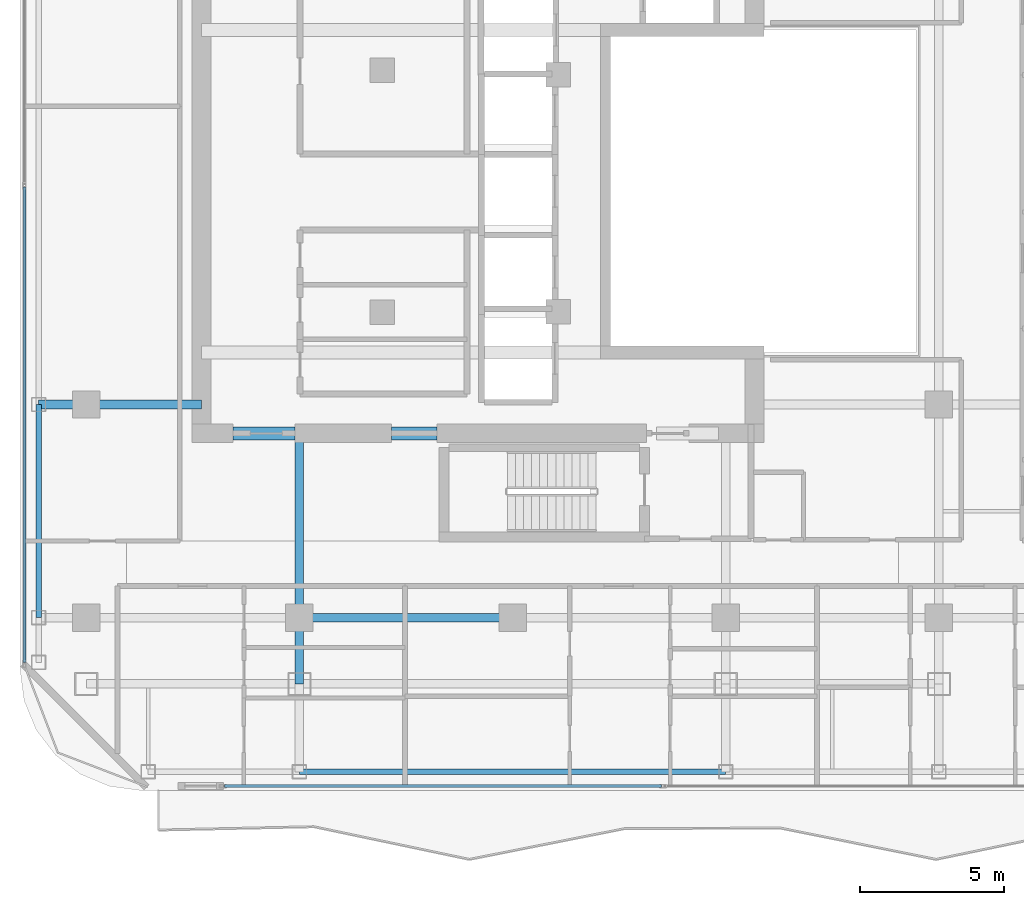
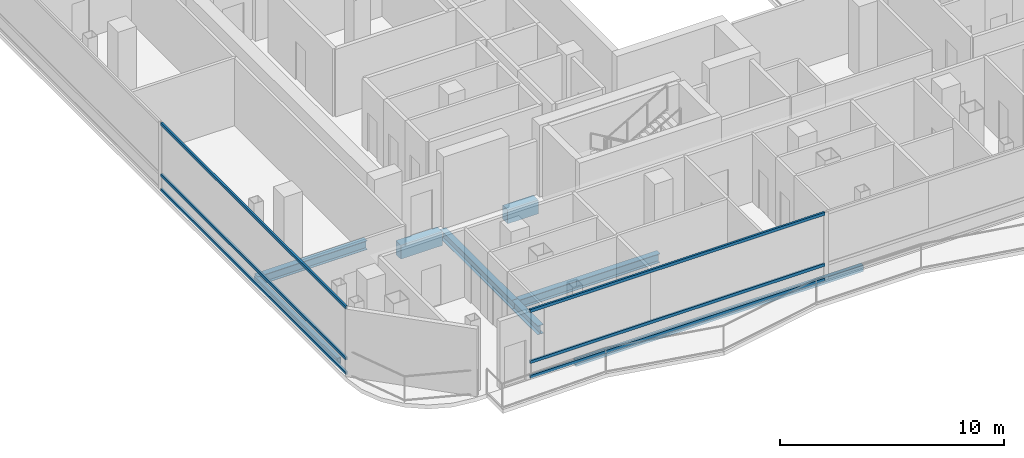
# One storey, part 3 of 24: 8 beams, 6 members, 2 elements without a shape of their own.
"""IFC4 building model written with IfcOpenShell, lengths in metres."""

from ifc_helpers import new_model, si_unit, direction, frame, origin, origin_2d, place, context, subcontext, project, spatial, rectangle, hollow_rectangle, i_section, extrude, material, layer, layer_set, material_profile, profile_set, type_object, element, aggregate, save


model = new_model("IFC4")

# Units and contexts
model_context = context("Model", 3, precision=1e-05, world=origin(), true_north=direction((0.0, 1.0)))
body_context = subcontext(model_context, "Body", "Model", "MODEL_VIEW")
ifc_project = project(units=[si_unit("LENGTHUNIT", "METRE"), si_unit("AREAUNIT", "SQUARE_METRE"), si_unit("VOLUMEUNIT", "CUBIC_METRE"), si_unit("PLANEANGLEUNIT", "RADIAN"), si_unit("MASSUNIT", "GRAM", prefix="KILO")], contexts=[model_context])

# Site, building, storey
site_placement = place(None, origin())
site = spatial("IfcSite", under=ifc_project, at=site_placement, CompositionType="ELEMENT")
building_placement = place(site_placement, origin())
building = spatial("IfcBuilding", under=site, at=building_placement, Name="Khorvyn Point Tower", CompositionType="ELEMENT")
storey_placement = place(building_placement, frame((0.0, 0.0, 266.39990234375)))
storey = spatial("IfcBuildingStorey", under=building, at=storey_placement, Name="L65", CompositionType="ELEMENT", Elevation=266.39990234375)

# Curtain wall, members
ifc_material_1 = material(Name="Anodised aluminium 6063-T6 and laminated Low-E glass", Category="aluminium")
ifc_layer = layer(ifc_material_1, 0.18994140625)
ifc_layer_set = layer_set([ifc_layer], Name="Stick-Built High-Wind Curtain Wall CW-SYS-04")
curtain_wall_type = type_object("IfcCurtainWallType", Name="Stick-Built High-Wind Curtain Wall CW-SYS-04", PredefinedType="NOTDEFINED", material=ifc_layer_set)
curtain_wall_1_placement = place(storey_placement, origin())
curtain_wall_1 = element("IfcCurtainWall", 1, at=curtain_wall_1_placement, inside=storey, type_object=curtain_wall_type, Name="Curtain Wall", PredefinedType="NOTDEFINED")
ifc_material_2 = material(Name="Anodised aluminium 6063-T6", Category="aluminium")
ifc_material_profile_1 = material_profile(ifc_material_2, hollow_rectangle(XDim=0.10009765625, YDim=0.159912109375, WallThickness=0.00439453125, at=origin_2d()))
ifc_profile_set_1 = profile_set([ifc_material_profile_1], Name="Anodised aluminium 6063-T6 ALU-TRN-100x160")
member_type = type_object("IfcMemberType", Name="Anodised Aluminium 6063-T6 Transom ALU-TRN-100x160", PredefinedType="USERDEFINED", material=ifc_profile_set_1)
member_1_placement = place(storey_placement, frame((5.17041015625, -20.64990234375, 0.050048828125), z_axis=(-1.0, 0.0, 0.0), x_axis=(0.0, -1.0, 0.0)))
member_1 = element("IfcMember", 2, at=member_1_placement, type_object=member_type, Name="Transom", ObjectType="TRANSOM", PredefinedType="USERDEFINED", context=body_context, shape_type="SweptSolid", body=[
    extrude(hollow_rectangle(XDim=0.10009765625, YDim=0.159912109375, WallThickness=0.00439453125, at=origin_2d()), origin(), (0.0, 0.0, 1.0), 15.179443359375),
])
member_2_placement = place(storey_placement, frame((5.17041015625, -20.64990234375, 0.85009765625), z_axis=(-1.0, 0.0, 0.0), x_axis=(0.0, -1.0, 0.0)))
member_2 = element("IfcMember", 3, at=member_2_placement, type_object=member_type, Name="Transom", ObjectType="TRANSOM", PredefinedType="USERDEFINED", context=body_context, shape_type="SweptSolid", body=[
    extrude(hollow_rectangle(XDim=0.10009765625, YDim=0.159912109375, WallThickness=0.00439453125, at=origin_2d()), origin(), (0.0, 0.0, 1.0), 15.179443359375),
])
member_3_placement = place(storey_placement, frame((5.17041015625, -20.64990234375, 3.630126953125), z_axis=(-1.0, 0.0, 0.0), x_axis=(0.0, -1.0, 0.0)))
member_3 = element("IfcMember", 4, at=member_3_placement, type_object=member_type, Name="Transom", ObjectType="TRANSOM", PredefinedType="USERDEFINED", context=body_context, shape_type="SweptSolid", body=[
    extrude(hollow_rectangle(XDim=0.10009765625, YDim=0.159912109375, WallThickness=0.00439453125, at=origin_2d()), origin(), (0.0, 0.0, 1.0), 15.179443359375),
])
aggregate(curtain_wall_1, [member_1, member_2, member_3])

curtain_wall_2_placement = place(storey_placement, origin())
curtain_wall_2 = element("IfcCurtainWall", 5, at=curtain_wall_2_placement, inside=storey, type_object=curtain_wall_type, Name="Curtain Wall", PredefinedType="NOTDEFINED")
member_4_placement = place(storey_placement, frame((-16.949951171875, -16.35009765625, 0.050048828125), z_axis=(0.0, 1.0, 0.0), x_axis=(-1.0, 0.0, 0.0)))
member_4 = element("IfcMember", 6, at=member_4_placement, type_object=member_type, Name="Transom", ObjectType="TRANSOM", PredefinedType="USERDEFINED", context=body_context, shape_type="SweptSolid", body=[
    extrude(hollow_rectangle(XDim=0.10009765625, YDim=0.159912109375, WallThickness=0.00439453125, at=origin_2d()), origin(), (0.0, 0.0, 1.0), 16.5),
])
member_5_placement = place(storey_placement, frame((-16.949951171875, -16.35009765625, 0.85009765625), z_axis=(0.0, 1.0, 0.0), x_axis=(-1.0, 0.0, 0.0)))
member_5 = element("IfcMember", 7, at=member_5_placement, type_object=member_type, Name="Transom", ObjectType="TRANSOM", PredefinedType="USERDEFINED", context=body_context, shape_type="SweptSolid", body=[
    extrude(hollow_rectangle(XDim=0.10009765625, YDim=0.159912109375, WallThickness=0.00439453125, at=origin_2d()), origin(), (0.0, 0.0, 1.0), 16.5),
])
member_6_placement = place(storey_placement, frame((-16.949951171875, -16.35009765625, 3.630126953125), z_axis=(0.0, 1.0, 0.0), x_axis=(-1.0, 0.0, 0.0)))
member_6 = element("IfcMember", 8, at=member_6_placement, type_object=member_type, Name="Transom", ObjectType="TRANSOM", PredefinedType="USERDEFINED", context=body_context, shape_type="SweptSolid", body=[
    extrude(hollow_rectangle(XDim=0.10009765625, YDim=0.159912109375, WallThickness=0.00439453125, at=origin_2d()), origin(), (0.0, 0.0, 1.0), 16.5),
])
aggregate(curtain_wall_2, [member_4, member_5, member_6])

# Beams
ifc_material_3 = material(Name="Concrete C40/50", Category="concrete")
ifc_material_profile_2 = material_profile(ifc_material_3, rectangle(XDim=0.449951171875, YDim=0.75, at=origin_2d()))
ifc_profile_set_2 = profile_set([ifc_material_profile_2], Name="Concrete C40/50 RC450x750")
beam_type_1 = type_object("IfcBeamType", Name="Concrete C40/50 Beam RC450x750", PredefinedType="BEAM", material=ifc_profile_set_2)
beam_1_placement = place(storey_placement, frame((-9.699951171875, -8.39990234375, -0.594970703125), z_axis=(1.0, 0.0, 0.0), x_axis=(0.0, 1.0, 0.0)))
element("IfcBeam", 9, at=beam_1_placement, inside=storey, type_object=beam_type_1, Name="L65 Core Southwest Portal Coupling Beam", PredefinedType="BEAM", context=body_context, shape_type="SweptSolid", body=[
    extrude(rectangle(XDim=0.449951171875, YDim=0.75, at=origin_2d()), origin(), (0.0, 0.0, 1.0), 2.14990234375),
])
beam_2_placement = place(storey_placement, frame((-4.199951171875, -8.39990234375, -0.594970703125), z_axis=(1.0, 0.0, 0.0), x_axis=(0.0, 1.0, 0.0)))
element("IfcBeam", 10, at=beam_2_placement, inside=storey, type_object=beam_type_1, Name="L65 Core Shuttle Portal Coupling Beam", PredefinedType="BEAM", context=body_context, shape_type="SweptSolid", body=[
    extrude(rectangle(XDim=0.449951171875, YDim=0.75, at=origin_2d()), origin(), (0.0, 0.0, 1.0), 1.579833984375),
])
ifc_material_4 = material(Name="Steel S355", Category="steel")
ifc_material_profile_3 = material_profile(ifc_material_4, i_section(OverallWidth=0.300048828125, OverallDepth=0.488037109375, WebThickness=0.010986328125, FlangeThickness=0.01806640625, at=origin_2d()))
ifc_profile_set_3 = profile_set([ifc_material_profile_3], Name="Steel S355 H488x300x11x18")
beam_type_2 = type_object("IfcBeamType", Name="Steel S355 Spandrel H488x300x11x18", PredefinedType="SPANDREL", material=ifc_profile_set_3)
beam_3_placement = place(storey_placement, frame((-7.39990234375, -14.800048828125, -0.4638671875), z_axis=(1.0, 0.0, 0.0), x_axis=(0.0, 1.0, 0.0)))
element("IfcBeam", 11, at=beam_3_placement, inside=storey, type_object=beam_type_2, Name="Beam", PredefinedType="SPANDREL", context=body_context, shape_type="SweptSolid", body=[
    extrude(i_section(OverallWidth=0.300048828125, OverallDepth=0.488037109375, WebThickness=0.010986328125, FlangeThickness=0.01806640625, at=origin_2d()), origin(), (0.0, 0.0, 1.0), 7.39990234375),
])
beam_4_placement = place(storey_placement, frame((-16.449951171875, -7.39990234375, -0.4638671875), z_axis=(1.0, 0.0, 0.0), x_axis=(0.0, 1.0, 0.0)))
element("IfcBeam", 12, at=beam_4_placement, inside=storey, type_object=beam_type_2, Name="Beam", PredefinedType="SPANDREL", context=body_context, shape_type="SweptSolid", body=[
    extrude(i_section(OverallWidth=0.300048828125, OverallDepth=0.488037109375, WebThickness=0.010986328125, FlangeThickness=0.01806640625, at=origin_2d()), origin(), (0.0, 0.0, 1.0), 5.64990234375),
])
beam_5_placement = place(storey_placement, frame((-7.39990234375, -17.10009765625, -0.4638671875), z_axis=(0.0, 1.0, 0.0), x_axis=(-1.0, 0.0, 0.0)))
element("IfcBeam", 13, at=beam_5_placement, inside=storey, type_object=beam_type_2, Name="Beam", PredefinedType="SPANDREL", context=body_context, shape_type="SweptSolid", body=[
    extrude(i_section(OverallWidth=0.300048828125, OverallDepth=0.488037109375, WebThickness=0.010986328125, FlangeThickness=0.01806640625, at=origin_2d()), origin(), (0.0, 0.0, 1.0), 2.300048828125),
])
beam_6_placement = place(storey_placement, frame((-7.39990234375, -14.800048828125, -0.4638671875), z_axis=(0.0, 1.0, 0.0), x_axis=(-1.0, 0.0, 0.0)))
element("IfcBeam", 14, at=beam_6_placement, inside=storey, type_object=beam_type_2, Name="Beam", PredefinedType="SPANDREL", context=body_context, shape_type="SweptSolid", body=[
    extrude(i_section(OverallWidth=0.300048828125, OverallDepth=0.488037109375, WebThickness=0.010986328125, FlangeThickness=0.01806640625, at=origin_2d()), origin(), (0.0, 0.0, 1.0), 6.400146484375),
])
ifc_material_profile_4 = material_profile(ifc_material_4, hollow_rectangle(XDim=0.199951171875, YDim=0.35009765625, WallThickness=0.013916015625, at=origin_2d()))
ifc_profile_set_4 = profile_set([ifc_material_profile_4], Name="Steel S355 RHS350x200x14")
beam_type_3 = type_object("IfcBeamType", Name="Steel S355 Spandrel RHS350x200x14", PredefinedType="SPANDREL", material=ifc_profile_set_4)
beam_7_placement = place(storey_placement, frame((-7.39990234375, -20.14990234375, -0.39501953125), z_axis=(1.0, 0.0, 0.0), x_axis=(0.0, 1.0, 0.0)))
element("IfcBeam", 15, at=beam_7_placement, inside=storey, type_object=beam_type_3, Name="Beam", PredefinedType="SPANDREL", context=body_context, shape_type="SweptSolid", body=[
    extrude(hollow_rectangle(XDim=0.199951171875, YDim=0.35009765625, WallThickness=0.013916015625, at=origin_2d()), origin(), (0.0, 0.0, 1.0), 14.7998046875),
])
beam_8_placement = place(storey_placement, frame((-16.449951171875, -14.800048828125, -0.39501953125), z_axis=(0.0, 1.0, 0.0), x_axis=(-1.0, 0.0, 0.0)))
element("IfcBeam", 16, at=beam_8_placement, inside=storey, type_object=beam_type_3, Name="Beam", PredefinedType="SPANDREL", context=body_context, shape_type="SweptSolid", body=[
    extrude(hollow_rectangle(XDim=0.199951171875, YDim=0.35009765625, WallThickness=0.013916015625, at=origin_2d()), origin(), (0.0, 0.0, 1.0), 7.400146484375),
])

save(model, "model.ifc")
